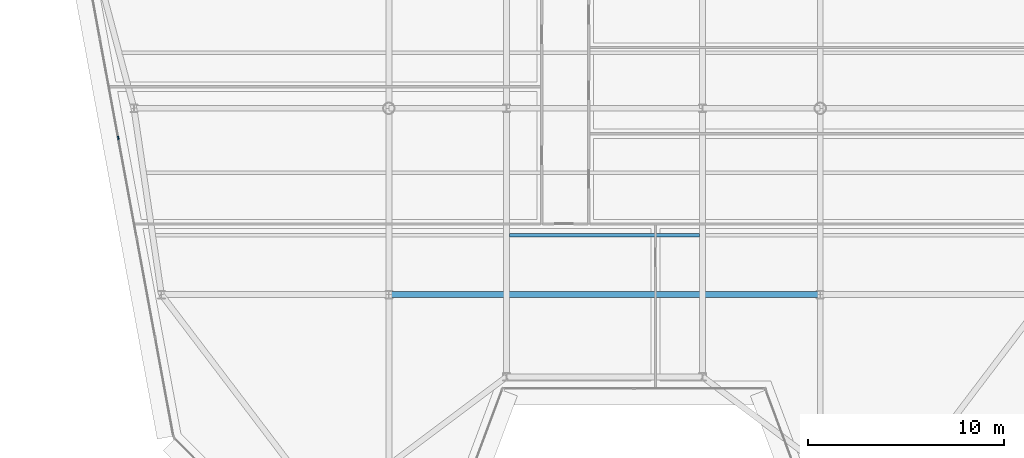
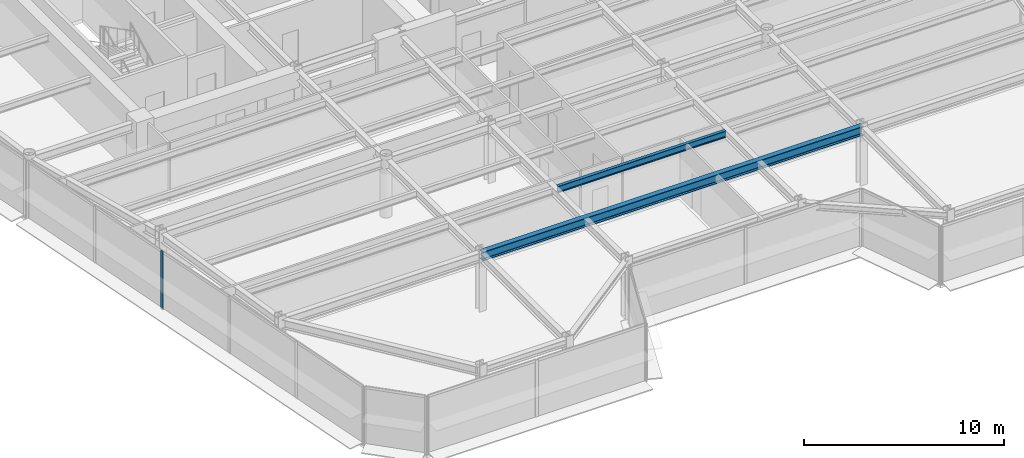
# One storey, part 3 of 16: 2 beams, 1 member, 1 element without a shape of its own.
"""IFC4 building model written with IfcOpenShell, lengths in metres."""

from ifc_helpers import new_model, si_unit, direction, frame, origin, origin_2d, place, context, subcontext, project, spatial, rectangle, i_section, extrude, source, transform, mapped, material, layer, layer_set, material_profile, profile_set, type_object, element, aggregate, save


model = new_model("IFC4")

# Units and contexts
model_context = context("Model", 3, precision=1e-05, world=origin(), true_north=direction((0.0, 1.0)))
body_context = subcontext(model_context, "Body", "Model", "MODEL_VIEW")
ifc_project = project(units=[si_unit("LENGTHUNIT", "METRE"), si_unit("AREAUNIT", "SQUARE_METRE"), si_unit("VOLUMEUNIT", "CUBIC_METRE"), si_unit("PLANEANGLEUNIT", "RADIAN"), si_unit("MASSUNIT", "GRAM", prefix="KILO")], contexts=[model_context])

# Site, building, storey
site_placement = place(None, origin())
site = spatial("IfcSite", under=ifc_project, at=site_placement, CompositionType="ELEMENT")
building_placement = place(site_placement, origin())
building = spatial("IfcBuilding", under=site, at=building_placement, Name="Vaeldorn Concourse Tower", CompositionType="ELEMENT")
storey_placement = place(building_placement, frame((0.0, 0.0, 227.0)))
storey = spatial("IfcBuildingStorey", under=building, at=storey_placement, Name="L58", CompositionType="ELEMENT", Elevation=227.0)

# Beams
ifc_material_1 = material(Name="Steel S355", Category="steel")
ifc_material_profile_1 = material_profile(ifc_material_1, i_section(OverallWidth=0.179931640625, OverallDepth=0.39990234375, WebThickness=0.008544921875, FlangeThickness=0.013427734375, FilletRadius=0.02099609375, at=origin_2d()), Name="IPE 400")
ifc_profile_set_1 = profile_set([ifc_material_profile_1], Name="Steel S355")
beam_type_1 = type_object("IfcBeamType", Name="BM-JS-IPE400", PredefinedType="JOIST", material=ifc_profile_set_1)
shared_shape_1 = source(origin(), body_context, "Body", "SweptSolid", [
    extrude(i_section(OverallWidth=0.179931640625, OverallDepth=0.39990234375, WebThickness=0.008544921875, FlangeThickness=0.013427734375, FilletRadius=0.02099609375, at=origin_2d()), origin(), (0.0, 0.0, 1.0), 9.7001953125),
])
beam_1_placement = place(storey_placement, frame((29.14990234375, 21.02001953125, 3.3798828125), z_axis=(1.0, 0.0, 0.0), x_axis=(0.0, 1.0, 0.0)))
element("IfcBeam", 1, at=beam_1_placement, inside=storey, type_object=beam_type_1, Name="Beam JS-L58-C-210", PredefinedType="JOIST", context=body_context, shape_type="MappedRepresentation", body=[
    mapped(shared_shape_1, transform((0.0, 0.0, 0.0), scale=1.0)),
])
ifc_material_profile_2 = material_profile(ifc_material_1, i_section(OverallWidth=0.300048828125, OverallDepth=0.550048828125, WebThickness=0.014892578125, FlangeThickness=0.029052734375, FilletRadius=0.027099609375, at=origin_2d()), Name="HEB 550")
ifc_profile_set_2 = profile_set([ifc_material_profile_2], Name="Steel S355")
beam_type_2 = type_object("IfcBeamType", Name="BM-PG-HEB550", PredefinedType="BEAM", material=ifc_profile_set_2)
shared_shape_2 = source(origin(), body_context, "Body", "SweptSolid", [
    extrude(i_section(OverallWidth=0.300048828125, OverallDepth=0.550048828125, WebThickness=0.014892578125, FlangeThickness=0.029052734375, FilletRadius=0.027099609375, at=origin_2d()), origin(), (0.0, 0.0, 1.0), 22.0),
])
beam_2_placement = place(storey_placement, frame((23.0, 18.0, 3.304931640625), z_axis=(1.0, 0.0, 0.0), x_axis=(0.0, 1.0, 0.0)))
element("IfcBeam", 2, at=beam_2_placement, inside=storey, type_object=beam_type_2, Name="Beam BM-L58-C-TW5-C-TW6", PredefinedType="BEAM", context=body_context, shape_type="MappedRepresentation", body=[
    mapped(shared_shape_2, transform((0.0, 0.0, 0.0), scale=1.0)),
])

# Curtain wall, member
ifc_material_2 = material(Name="Anodised Bronze Aluminium", Category="aluminium")
ifc_layer = layer(ifc_material_2, 0.179931640625)
ifc_layer_set = layer_set([ifc_layer], Name="Anodised Bronze Aluminium")
curtain_wall_type = type_object("IfcCurtainWallType", Name="CW-SYS-05", PredefinedType="NOTDEFINED", material=ifc_layer_set)
curtain_wall_placement = place(storey_placement, origin())
curtain_wall = element("IfcCurtainWall", 3, at=curtain_wall_placement, inside=storey, type_object=curtain_wall_type, Name="Unitised Curtain Wall CW-L58-E11-2", PredefinedType="NOTDEFINED")
ifc_material_profile_3 = material_profile(ifc_material_2, rectangle(XDim=0.06494140625, YDim=0.169921875, at=origin_2d()), Name="CWM 65x170")
ifc_profile_set_3 = profile_set([ifc_material_profile_3], Name="Anodised Bronze Aluminium")
member_type = type_object("IfcMemberType", Name="CWM-BRONZE-170", PredefinedType="MULLION", material=ifc_profile_set_3)
shared_shape_3 = source(origin(), body_context, "Body", "SweptSolid", [
    extrude(rectangle(XDim=0.06494140625, YDim=0.169921875, at=origin_2d()), origin(), (0.0, 0.0, 1.0), 3.580078125),
])
member_placement = place(storey_placement, frame((9.200439453125, 25.990966796875, 0.0), z_axis=(0.0, 0.0, 1.0), x_axis=(0.98331890588, 0.181889882456, 0.0)))
member = element("IfcMember", 4, at=member_placement, type_object=member_type, Name="CW-05 mullion 3", PredefinedType="MULLION", context=body_context, shape_type="MappedRepresentation", body=[
    mapped(shared_shape_3, transform((0.0, 0.0, 0.0), scale=1.0)),
])
aggregate(curtain_wall, [member])

save(model, "model.ifc")
